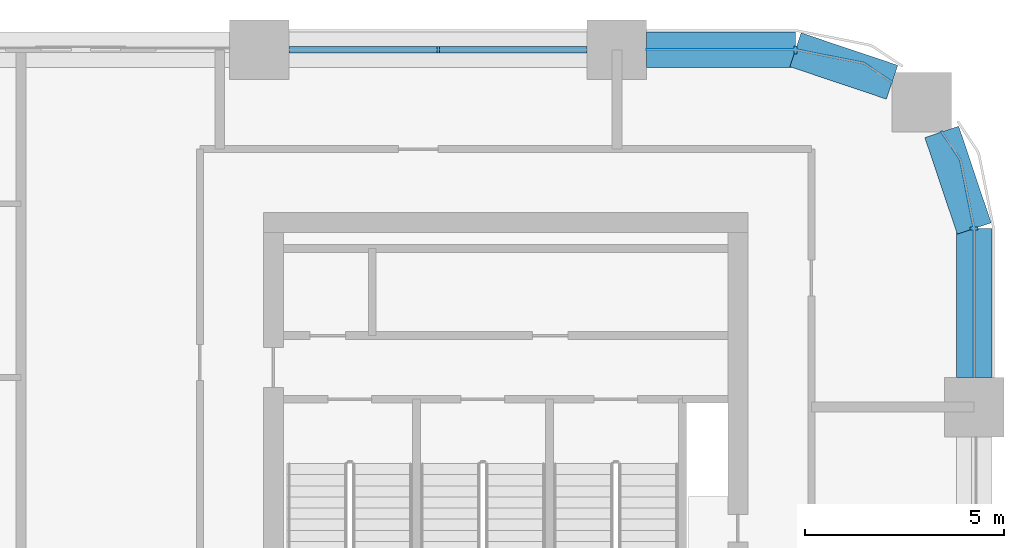
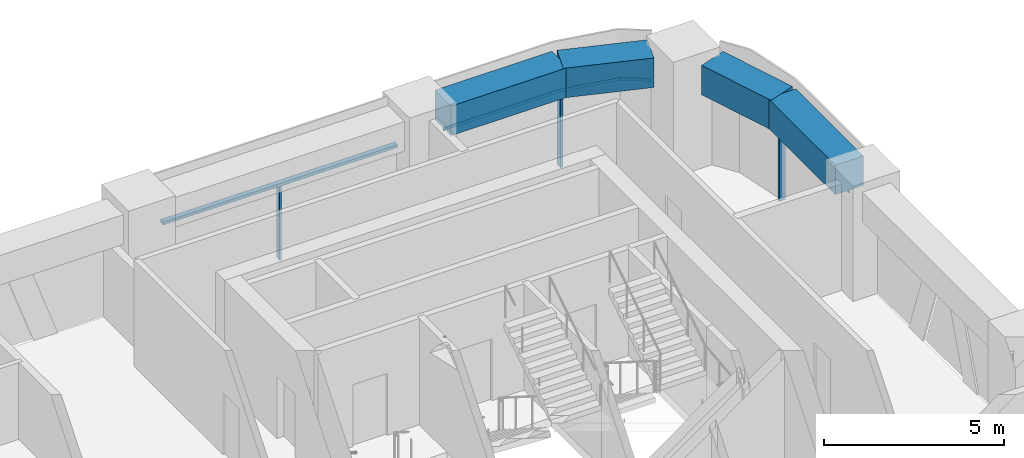
# One storey, part 6 of 14: 6 members, 4 beams, 3 elements without a shape of their own.
"""IFC4 building model written with IfcOpenShell, lengths in metres."""

from ifc_helpers import new_model, si_unit, direction, frame, origin, origin_2d, place, context, subcontext, project, spatial, polyline, rectangle, outline, extrude, material, material_profile, profile_set, type_object, element, aggregate, save


model = new_model("IFC4")

# Units and contexts
model_context = context("Model", 3, precision=1e-05, world=origin(), true_north=direction((0.0, 1.0)))
body_context = subcontext(model_context, "Body", "Model", "MODEL_VIEW")
ifc_project = project(units=[si_unit("LENGTHUNIT", "METRE"), si_unit("AREAUNIT", "SQUARE_METRE"), si_unit("VOLUMEUNIT", "CUBIC_METRE"), si_unit("PLANEANGLEUNIT", "RADIAN"), si_unit("MASSUNIT", "GRAM", prefix="KILO")], contexts=[model_context])

# Site, building, storey
site_placement = place(None, origin())
site = spatial("IfcSite", under=ifc_project, at=site_placement, CompositionType="ELEMENT")
building_placement = place(site_placement, origin())
building = spatial("IfcBuilding", under=site, at=building_placement, Name="Tessera Arch", CompositionType="ELEMENT")
storey_placement = place(building_placement, frame((0.0, 0.0, 134.89990234375)))
storey = spatial("IfcBuildingStorey", under=building, at=storey_placement, Name="L31", CompositionType="ELEMENT", Elevation=134.89990234375)

# Curtain wall, members
ifc_material_1 = material(Name="CW1 curtain wall")
curtain_wall_type_1 = type_object("IfcCurtainWallType", Name="CW1 curtain wall", PredefinedType="NOTDEFINED", material=ifc_material_1)
curtain_wall_1_placement = place(storey_placement, origin())
curtain_wall_1 = element("IfcCurtainWall", 1, at=curtain_wall_1_placement, inside=storey, type_object=curtain_wall_type_1, Name="CW1 curtain wall N54.0/1 L31", PredefinedType="NOTDEFINED")
ifc_material_2 = material(Name="Anodised aluminium pale metal", Category="aluminium")
ifc_material_profile_1 = material_profile(ifc_material_2, rectangle(XDim=0.159912109375, YDim=0.06005859375, at=origin_2d()), Name="AL 60x160")
ifc_profile_set_1 = profile_set([ifc_material_profile_1], Name="Anodised aluminium pale metal")
member_type_1 = type_object("IfcMemberType", Name="CW1 mullion", PredefinedType="MULLION", material=ifc_profile_set_1)
member_1_placement = place(storey_placement, frame((40.5, 54.0, 0.0), z_axis=(0.0, 0.0, 1.0), x_axis=(0.0, -1.0, 0.0)))
member_1 = element("IfcMember", 2, at=member_1_placement, type_object=member_type_1, Name="CW1 mullion N54.0/1 1", PredefinedType="MULLION", context=body_context, shape_type="SweptSolid", body=[
    extrude(rectangle(XDim=0.159912109375, YDim=0.06005859375, at=origin_2d()), origin(), (0.0, 0.0, 1.0), 2.5),
])
ifc_material_3 = material(Name="Anodised aluminium pale metal", Category="aluminium")
ifc_material_profile_2 = material_profile(ifc_material_3, rectangle(XDim=0.159912109375, YDim=0.10009765625, at=origin_2d()), Name="AL 160x100")
ifc_profile_set_2 = profile_set([ifc_material_profile_2], Name="Anodised aluminium pale metal")
member_type_2 = type_object("IfcMemberType", Name="CW1 transom", PredefinedType="USERDEFINED", material=ifc_profile_set_2)
member_2_placement = place(storey_placement, frame((44.25, 54.0, 2.550048828125), z_axis=(-1.0, 0.0, 0.0), x_axis=(0.0, -1.0, 0.0)))
member_2 = element("IfcMember", 3, at=member_2_placement, type_object=member_type_2, Name="CW1 transom N54.0/1 1.1", ObjectType="TRANSOM", PredefinedType="USERDEFINED", context=body_context, shape_type="SweptSolid", body=[
    extrude(rectangle(XDim=0.159912109375, YDim=0.10009765625, at=origin_2d()), origin(), (0.0, 0.0, 1.0), 7.5),
])
aggregate(curtain_wall_1, [member_1, member_2])

# Curtain wall, member
ifc_material_4 = material(Name="CW2 curtain wall")
curtain_wall_type_2 = type_object("IfcCurtainWallType", Name="CW2 curtain wall", PredefinedType="NOTDEFINED", material=ifc_material_4)
curtain_wall_2_placement = place(storey_placement, origin())
curtain_wall_2 = element("IfcCurtainWall", 4, at=curtain_wall_2_placement, inside=storey, type_object=curtain_wall_type_2, Name="CW2 curtain wall E54.27/1 L31", PredefinedType="NOTDEFINED")
ifc_material_5 = material(Name="Anodised aluminium pale metal", Category="aluminium")
ifc_material_profile_3 = material_profile(ifc_material_5, rectangle(XDim=0.199951171875, YDim=0.080078125, at=origin_2d()), Name="AL 80x200")
ifc_profile_set_3 = profile_set([ifc_material_profile_3], Name="Anodised aluminium pale metal")
member_type_3 = type_object("IfcMemberType", Name="CW2 mullion", PredefinedType="MULLION", material=ifc_profile_set_3)
member_3_placement = place(storey_placement, frame((54.0, 49.5, 0.0), z_axis=(0.0, 0.0, 1.0), x_axis=(-1.0, 0.0, 0.0)))
member_3 = element("IfcMember", 5, at=member_3_placement, type_object=member_type_3, Name="CW2 mullion E54.27/1 1", PredefinedType="MULLION", context=body_context, shape_type="SweptSolid", body=[
    extrude(rectangle(XDim=0.199951171875, YDim=0.080078125, at=origin_2d()), origin(), (0.0, 0.0, 1.0), 2.5),
])

curtain_wall_3_placement = place(storey_placement, origin())
curtain_wall_3 = element("IfcCurtainWall", 6, at=curtain_wall_3_placement, inside=storey, type_object=curtain_wall_type_2, Name="CW2 curtain wall N54.0/0 L31", PredefinedType="NOTDEFINED")
member_4_placement = place(storey_placement, frame((49.5, 54.0, 0.0), z_axis=(0.0, 0.0, 1.0), x_axis=(0.0, -1.0, 0.0)))
member_4 = element("IfcMember", 7, at=member_4_placement, type_object=member_type_3, Name="CW2 mullion N54.0/0 1", PredefinedType="MULLION", context=body_context, shape_type="SweptSolid", body=[
    extrude(rectangle(XDim=0.199951171875, YDim=0.080078125, at=origin_2d()), origin(), (0.0, 0.0, 1.0), 2.5),
])

# Member
ifc_material_6 = material(Name="Anodised aluminium pale metal", Category="aluminium")
ifc_material_profile_4 = material_profile(ifc_material_6, rectangle(XDim=0.199951171875, YDim=0.10009765625, at=origin_2d()), Name="AL 200x100")
ifc_profile_set_4 = profile_set([ifc_material_profile_4], Name="Anodised aluminium pale metal")
member_type_4 = type_object("IfcMemberType", Name="CW2 transom", PredefinedType="USERDEFINED", material=ifc_profile_set_4)
member_5_placement = place(storey_placement, frame((0.0, 0.0, 2.5)))
member_5 = element("IfcMember", 8, at=member_5_placement, type_object=member_type_4, Name="CW2 transom E54.27/1 1", ObjectType="TRANSOM", PredefinedType="USERDEFINED", context=body_context, shape_type="SweptSolid", body=[
    extrude(outline(polyline([(53.989990234375, 49.4990234375), (53.989990234375, 45.75), (54.010009765625, 45.75), (54.010009765625, 49.5009765625), (53.6669921875, 51.22607421875), (53.19140625, 51.9375), (53.1748046875, 51.926513671875), (53.648193359375, 51.21826171875), (53.989990234375, 49.4990234375)])), origin(), (0.0, 0.0, 1.0), 0.10009765625),
])

aggregate(curtain_wall_2, [member_3, member_5])

member_6_placement = place(storey_placement, frame((0.0, 0.0, 2.5)))
member_6 = element("IfcMember", 9, at=member_6_placement, type_object=member_type_4, Name="CW2 transom N54.0/0 1", ObjectType="TRANSOM", PredefinedType="USERDEFINED", context=body_context, shape_type="SweptSolid", body=[
    extrude(outline(polyline([(51.21826171875, 53.648193359375), (51.926513671875, 53.1748046875), (51.9375, 53.19140625), (51.22607421875, 53.6669921875), (49.5009765625, 54.010009765625), (45.75, 54.010009765625), (45.75, 53.989990234375), (49.4990234375, 53.989990234375), (51.21826171875, 53.648193359375)])), origin(), (0.0, 0.0, 1.0), 0.10009765625),
])

aggregate(curtain_wall_3, [member_4, member_6])

# Beams
ifc_material_7 = material(Name="Concrete C70/85", Category="concrete")
ifc_material_profile_5 = material_profile(ifc_material_7, rectangle(XDim=0.89990234375, YDim=1.0, at=origin_2d()), Name="RC spandrel beam 900 x 1000 Concrete C70/85")
ifc_profile_set_5 = profile_set([ifc_material_profile_5], Name="Concrete C70/85")
beam_type = type_object("IfcBeamType", Name="RC spandrel beam 900 x 1000 Concrete C70/85", PredefinedType="BEAM", material=ifc_profile_set_5)
beam_1_placement = place(storey_placement, frame((54.0, 45.75, 3.10009765625), z_axis=(0.0, 1.0, 0.0), x_axis=(-1.0, 0.0, 0.0)))
element("IfcBeam", 10, at=beam_1_placement, inside=storey, type_object=beam_type, Name="Spandrel beam L31 E54.27/1.1", PredefinedType="BEAM", context=body_context, shape_type="SweptSolid", body=[
    extrude(rectangle(XDim=0.89990234375, YDim=1.0, at=origin_2d()), origin(), (0.0, 0.0, 1.0), 3.75),
])
for number, where, z_axis, x_axis, name in (
    (11, (54.0, 49.5, 3.10009765625), (-0.31842525032, 0.947947973234, 0.0), (-0.947947973234, -0.31842525032, 0.0), "Spandrel beam L31 E54.27/1.2"),
    (12, (51.931884765625, 53.18310546875, 3.10009765625), (-0.947947973234, 0.31842525032, 0.0), (-0.31842525032, -0.947947973234, 0.0), "Spandrel beam L31 N54.0/0.1"),
):
    element("IfcBeam", number, at=place(storey_placement, frame(where, z_axis=z_axis, x_axis=x_axis)), inside=storey, type_object=beam_type, Name=name, PredefinedType="BEAM", context=body_context, shape_type="SweptSolid", body=[
        extrude(rectangle(XDim=0.89990234375, YDim=1.0, at=origin_2d()), origin(), (0.0, 0.0, 1.0), 2.5654296875),
    ])
beam_2_placement = place(storey_placement, frame((49.5, 54.0, 3.10009765625), z_axis=(-1.0, 0.0, 0.0), x_axis=(0.0, -1.0, 0.0)))
element("IfcBeam", 13, at=beam_2_placement, inside=storey, type_object=beam_type, Name="Spandrel beam L31 N54.0/0.2", PredefinedType="BEAM", context=body_context, shape_type="SweptSolid", body=[
    extrude(rectangle(XDim=0.89990234375, YDim=1.0, at=origin_2d()), origin(), (0.0, 0.0, 1.0), 3.75),
])

save(model, "model.ifc")
